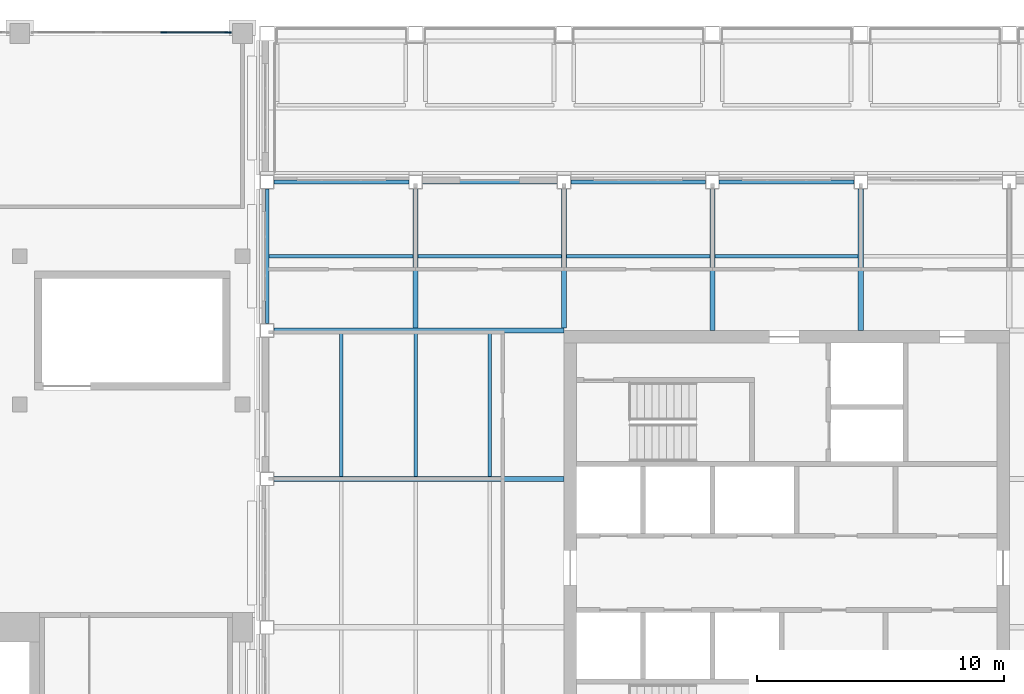
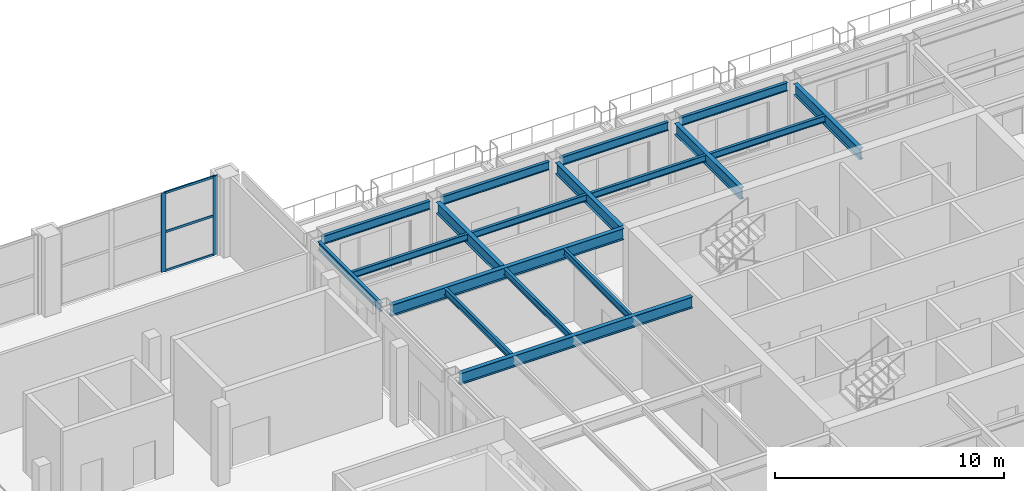
# One storey, part 9 of 39: 18 beams, 5 members, 1 element without a shape of its own.
"""IFC4 building model written with IfcOpenShell, lengths in metres."""

from ifc_helpers import new_model, si_unit, direction, frame, origin, origin_2d, place, context, subcontext, project, spatial, rectangle, i_section, extrude, material, material_profile, profile_set, type_object, element, aggregate, save


model = new_model("IFC4")

# Units and contexts
model_context = context("Model", 3, precision=1e-05, world=origin(), true_north=direction((0.0, 1.0)))
body_context = subcontext(model_context, "Body", "Model", "MODEL_VIEW")
ifc_project = project(units=[si_unit("LENGTHUNIT", "METRE"), si_unit("AREAUNIT", "SQUARE_METRE"), si_unit("VOLUMEUNIT", "CUBIC_METRE"), si_unit("PLANEANGLEUNIT", "RADIAN"), si_unit("MASSUNIT", "GRAM", prefix="KILO")], contexts=[model_context])

# Site, building, storey
site_placement = place(None, origin())
site = spatial("IfcSite", under=ifc_project, at=site_placement, CompositionType="ELEMENT")
building_placement = place(site_placement, origin())
building = spatial("IfcBuilding", under=site, at=building_placement, Name="Aravalli Gate Trade Fair Centre", CompositionType="ELEMENT")
storey_placement = place(building_placement, frame((0.0, 0.0, 15.0)))
storey = spatial("IfcBuildingStorey", under=building, at=storey_placement, Name="L03", CompositionType="ELEMENT", Elevation=15.0)

# Curtain wall, members
ifc_material_1 = material(Name="Aluminium and glass", Category="aluminium")
curtain_wall_type = type_object("IfcCurtainWallType", Name="Curtain wall 3000 module, tall", PredefinedType="NOTDEFINED", material=ifc_material_1)
curtain_wall_placement = place(storey_placement, origin())
curtain_wall = element("IfcCurtainWall", 1, at=curtain_wall_placement, inside=storey, type_object=curtain_wall_type, Name="Curtain wall north bay 18 L03", PredefinedType="NOTDEFINED")
ifc_material_2 = material(Name="Aluminium", Category="aluminium")
ifc_material_profile_1 = material_profile(ifc_material_2, rectangle(XDim=0.06005859375, YDim=0.25, at=origin_2d()), Name="Concourse curtain wall mullion 60 x 250")
ifc_profile_set_1 = profile_set([ifc_material_profile_1], Name="Aluminium")
member_type_1 = type_object("IfcMemberType", Name="Concourse curtain wall mullion 60 x 250", PredefinedType="MULLION", material=ifc_profile_set_1)
member_1_placement = place(storey_placement, frame((155.816650390625, 133.044921875, 0.0), z_axis=(0.0, 0.0, 1.0), x_axis=(0.0, 1.0, 0.0)))
member_1 = element("IfcMember", 2, at=member_1_placement, type_object=member_type_1, Name="CW3 mullion 3", PredefinedType="MULLION", context=body_context, shape_type="SweptSolid", body=[
    extrude(rectangle(XDim=0.06005859375, YDim=0.25, at=origin_2d()), origin(), (0.0, 0.0, 1.0), 4.199951171875),
])
member_2_placement = place(storey_placement, frame((158.419921875, 133.044921875, 0.0), z_axis=(0.0, 0.0, 1.0), x_axis=(0.0, 1.0, 0.0)))
member_2 = element("IfcMember", 3, at=member_2_placement, type_object=member_type_1, Name="CW3 mullion 4", PredefinedType="MULLION", context=body_context, shape_type="SweptSolid", body=[
    extrude(rectangle(XDim=0.06005859375, YDim=0.25, at=origin_2d()), origin(), (0.0, 0.0, 1.0), 4.199951171875),
])
ifc_material_profile_2 = material_profile(ifc_material_2, rectangle(XDim=0.06005859375, YDim=0.1201171875, at=origin_2d()), Name="Concourse curtain wall transom 60 x 120")
ifc_profile_set_2 = profile_set([ifc_material_profile_2], Name="Aluminium")
member_type_2 = type_object("IfcMemberType", Name="Concourse curtain wall transom 60 x 120", PredefinedType="USERDEFINED", material=ifc_profile_set_2)
member_3_placement = place(storey_placement, frame((155.8466796875, 133.044921875, 0.030029296875), z_axis=(1.0, 0.0, 0.0), x_axis=(0.0, 1.0, 0.0)))
member_3 = element("IfcMember", 4, at=member_3_placement, type_object=member_type_2, Name="CW3 transom 3.1", ObjectType="TRANSOM", PredefinedType="USERDEFINED", context=body_context, shape_type="SweptSolid", body=[
    extrude(rectangle(XDim=0.06005859375, YDim=0.1201171875, at=origin_2d()), origin(), (0.0, 0.0, 1.0), 2.543212890625),
])
member_4_placement = place(storey_placement, frame((155.8466796875, 133.044921875, 2.10009765625), z_axis=(1.0, 0.0, 0.0), x_axis=(0.0, 1.0, 0.0)))
member_4 = element("IfcMember", 5, at=member_4_placement, type_object=member_type_2, Name="CW3 transom 3.2", ObjectType="TRANSOM", PredefinedType="USERDEFINED", context=body_context, shape_type="SweptSolid", body=[
    extrude(rectangle(XDim=0.06005859375, YDim=0.1201171875, at=origin_2d()), origin(), (0.0, 0.0, 1.0), 2.543212890625),
])
member_5_placement = place(storey_placement, frame((155.8466796875, 133.044921875, 4.169921875), z_axis=(1.0, 0.0, 0.0), x_axis=(0.0, 1.0, 0.0)))
member_5 = element("IfcMember", 6, at=member_5_placement, type_object=member_type_2, Name="CW3 transom 3.3", ObjectType="TRANSOM", PredefinedType="USERDEFINED", context=body_context, shape_type="SweptSolid", body=[
    extrude(rectangle(XDim=0.06005859375, YDim=0.1201171875, at=origin_2d()), origin(), (0.0, 0.0, 1.0), 2.543212890625),
])
aggregate(curtain_wall, [member_1, member_2, member_3, member_4, member_5])

# Beams
ifc_material_3 = material(Name="Steel E350", Category="steel")
ifc_material_profile_3 = material_profile(ifc_material_3, i_section(OverallWidth=0.2099609375, OverallDepth=0.60009765625, WebThickness=0.011962890625, FlangeThickness=0.020263671875, at=origin_2d()), Name="ISMB 600")
ifc_profile_set_3 = profile_set([ifc_material_profile_3], Name="Steel E350")
beam_type_1 = type_object("IfcBeamType", Name="Wing core to perimeter girder ISMB 600 (office floors)", PredefinedType="BEAM", material=ifc_profile_set_3)
for number, where, z_axis, x_axis, name in (
    (7, (160.27490234375, 115.0, 3.699951171875), (1.0, 0.0, 0.0), (0.0, 1.0, 0.0), "Core to perimeter girder PW2 L04"),
    (8, (160.27490234375, 121.0, 3.699951171875), (1.0, 0.0, 0.0), (0.0, 1.0, 0.0), "Core to perimeter girder PW3 L04"),
):
    element("IfcBeam", number, at=place(storey_placement, frame(where, z_axis=z_axis, x_axis=x_axis)), inside=storey, type_object=beam_type_1, Name=name, PredefinedType="BEAM", context=body_context, shape_type="SweptSolid", body=[
        extrude(i_section(OverallWidth=0.2099609375, OverallDepth=0.60009765625, WebThickness=0.011962890625, FlangeThickness=0.020263671875, at=origin_2d()), origin(), (0.0, 0.0, 1.0), 11.72509765625),
    ])
beam_1_placement = place(storey_placement, frame((172.0, 121.10498046875, 3.699951171875), z_axis=(0.0, 1.0, 0.0), x_axis=(-1.0, 0.0, 0.0)))
element("IfcBeam", 9, at=beam_1_placement, inside=storey, type_object=beam_type_1, Name="Core to perimeter girder PN0a L04", PredefinedType="BEAM", context=body_context, shape_type="SweptSolid", body=[
    extrude(i_section(OverallWidth=0.2099609375, OverallDepth=0.60009765625, WebThickness=0.011962890625, FlangeThickness=0.020263671875, at=origin_2d()), origin(), (0.0, 0.0, 1.0), 5.6201171875),
])
for number, where, z_axis, x_axis, name in (
    (10, (178.0, 121.0, 3.699951171875), (0.0, 1.0, 0.0), (-1.0, 0.0, 0.0), "Core to perimeter girder PN1a L04"),
    (11, (184.0, 121.0, 3.699951171875), (0.0, 1.0, 0.0), (-1.0, 0.0, 0.0), "Core to perimeter girder PN2a L04"),
):
    element("IfcBeam", number, at=place(storey_placement, frame(where, z_axis=z_axis, x_axis=x_axis)), inside=storey, type_object=beam_type_1, Name=name, PredefinedType="BEAM", context=body_context, shape_type="SweptSolid", body=[
        extrude(i_section(OverallWidth=0.2099609375, OverallDepth=0.60009765625, WebThickness=0.011962890625, FlangeThickness=0.020263671875, at=origin_2d()), origin(), (0.0, 0.0, 1.0), 5.72509765625),
    ])
ifc_material_profile_4 = material_profile(ifc_material_3, i_section(OverallWidth=0.2099609375, OverallDepth=0.60009765625, WebThickness=0.011962890625, FlangeThickness=0.020263671875, at=origin_2d()), Name="ISMB 600")
ifc_profile_set_4 = profile_set([ifc_material_profile_4], Name="Steel E350")
beam_type_2 = type_object("IfcBeamType", Name="Wing corner transfer girder ISMB 600 (office floors)", PredefinedType="BEAM", material=ifc_profile_set_4)
beam_2_placement = place(storey_placement, frame((166.0, 121.10498046875, 3.699951171875), z_axis=(0.0, 1.0, 0.0), x_axis=(-1.0, 0.0, 0.0)))
element("IfcBeam", 12, at=beam_2_placement, inside=storey, type_object=beam_type_2, Name="Corner transfer girder CNWya L04", PredefinedType="BEAM", context=body_context, shape_type="SweptSolid", body=[
    extrude(i_section(OverallWidth=0.2099609375, OverallDepth=0.60009765625, WebThickness=0.011962890625, FlangeThickness=0.020263671875, at=origin_2d()), origin(), (0.0, 0.0, 1.0), 5.6201171875),
])
ifc_material_profile_5 = material_profile(ifc_material_3, i_section(OverallWidth=0.14990234375, OverallDepth=0.449951171875, WebThickness=0.009521484375, FlangeThickness=0.017333984375, at=origin_2d()), Name="ISMB 450")
ifc_profile_set_5 = profile_set([ifc_material_profile_5], Name="Steel E350")
beam_type_3 = type_object("IfcBeamType", Name="Wing perimeter beam ISMB 450 (office floors)", PredefinedType="BEAM", material=ifc_profile_set_5)
for number, where, z_axis, x_axis, name in (
    (13, (160.27490234375, 127.0, 3.77490234375), (1.0, 0.0, 0.0), (0.0, 1.0, 0.0), "Perimeter beam EQ0 L04"),
    (14, (166.27490234375, 127.0, 3.77490234375), (1.0, 0.0, 0.0), (0.0, 1.0, 0.0), "Perimeter beam EQ1 L04"),
    (15, (172.27490234375, 127.0, 3.77490234375), (1.0, 0.0, 0.0), (0.0, 1.0, 0.0), "Perimeter beam EQ2 L04"),
    (16, (178.27490234375, 127.0, 3.77490234375), (1.0, 0.0, 0.0), (0.0, 1.0, 0.0), "Perimeter beam EQ3 L04"),
    (17, (160.0, 121.27490234375, 3.77490234375), (0.0, 1.0, 0.0), (-1.0, 0.0, 0.0), "Perimeter beam EW5 L04"),
):
    element("IfcBeam", number, at=place(storey_placement, frame(where, z_axis=z_axis, x_axis=x_axis)), inside=storey, type_object=beam_type_3, Name=name, PredefinedType="BEAM", context=body_context, shape_type="SweptSolid", body=[
        extrude(i_section(OverallWidth=0.14990234375, OverallDepth=0.449951171875, WebThickness=0.009521484375, FlangeThickness=0.017333984375, at=origin_2d()), origin(), (0.0, 0.0, 1.0), 5.4501953125),
    ])
ifc_material_profile_6 = material_profile(ifc_material_3, i_section(OverallWidth=0.139892578125, OverallDepth=0.35009765625, WebThickness=0.008056640625, FlangeThickness=0.01416015625, at=origin_2d()), Name="ISMB 350")
ifc_profile_set_6 = profile_set([ifc_material_profile_6], Name="Steel E350")
beam_type_4 = type_object("IfcBeamType", Name="Wing secondary beam ISMB 350 (office floors)", PredefinedType="BEAM", material=ifc_profile_set_6)
beam_3_placement = place(storey_placement, frame((160.074951171875, 124.0, 3.824951171875), z_axis=(1.0, 0.0, 0.0), x_axis=(0.0, 1.0, 0.0)))
element("IfcBeam", 18, at=beam_3_placement, inside=storey, type_object=beam_type_4, Name="Secondary beam KWN00 L04", PredefinedType="BEAM", context=body_context, shape_type="SweptSolid", body=[
    extrude(i_section(OverallWidth=0.139892578125, OverallDepth=0.35009765625, WebThickness=0.008056640625, FlangeThickness=0.01416015625, at=origin_2d()), origin(), (0.0, 0.0, 1.0), 5.820068359375),
])
for number, where, z_axis, x_axis, name in (
    (19, (166.10498046875, 124.0, 3.824951171875), (1.0, 0.0, 0.0), (0.0, 1.0, 0.0), "Secondary beam KWN01 L04"),
    (20, (163.0, 115.10498046875, 3.824951171875), (0.0, 1.0, 0.0), (-1.0, 0.0, 0.0), "Secondary beam BW2163 L04"),
    (21, (166.0, 115.10498046875, 3.824951171875), (0.0, 1.0, 0.0), (-1.0, 0.0, 0.0), "Secondary beam BW2166 L04"),
    (22, (169.0, 115.10498046875, 3.824951171875), (0.0, 1.0, 0.0), (-1.0, 0.0, 0.0), "Secondary beam BW2169 L04"),
    (23, (172.10498046875, 124.0, 3.824951171875), (1.0, 0.0, 0.0), (0.0, 1.0, 0.0), "Secondary beam BN0124 L04"),
    (24, (178.10498046875, 124.0, 3.824951171875), (1.0, 0.0, 0.0), (0.0, 1.0, 0.0), "Secondary beam BN1124 L04"),
):
    element("IfcBeam", number, at=place(storey_placement, frame(where, z_axis=z_axis, x_axis=x_axis)), inside=storey, type_object=beam_type_4, Name=name, PredefinedType="BEAM", context=body_context, shape_type="SweptSolid", body=[
        extrude(i_section(OverallWidth=0.139892578125, OverallDepth=0.35009765625, WebThickness=0.008056640625, FlangeThickness=0.01416015625, at=origin_2d()), origin(), (0.0, 0.0, 1.0), 5.7900390625),
    ])

save(model, "model.ifc")
